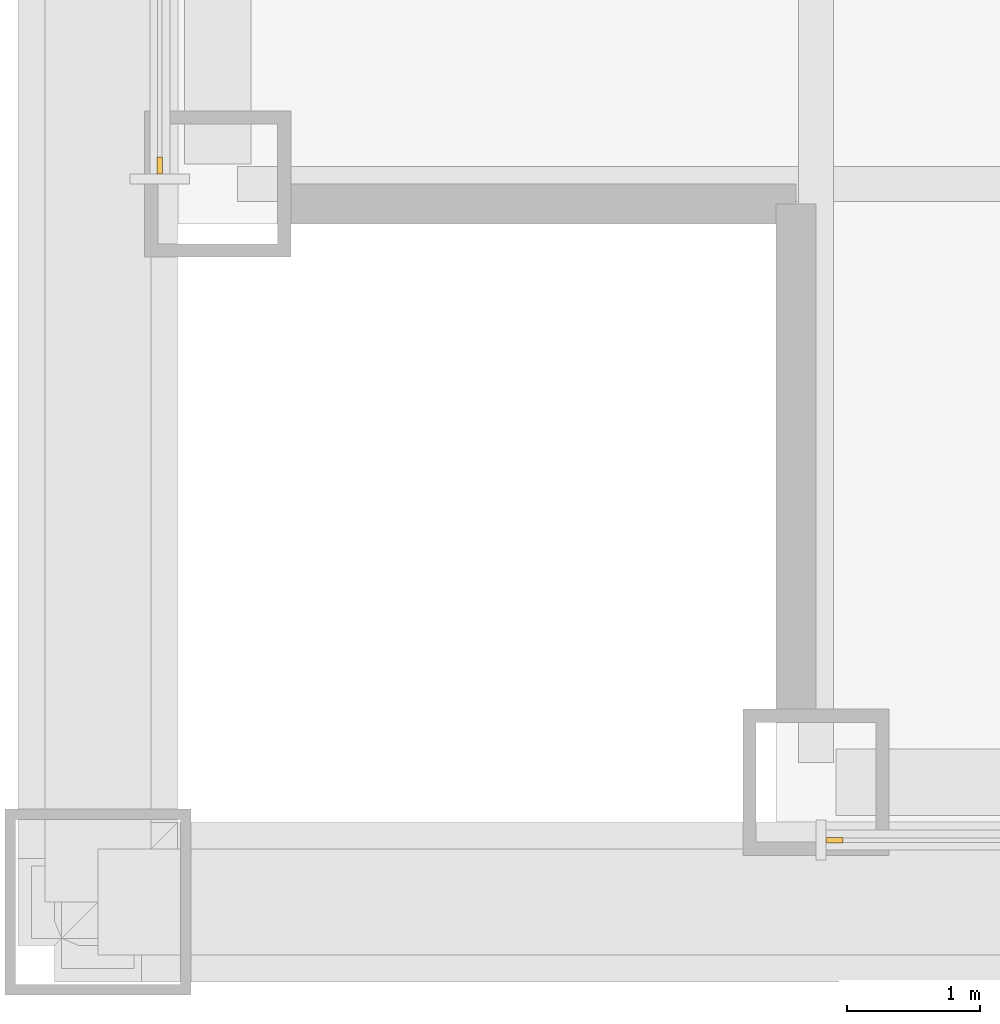
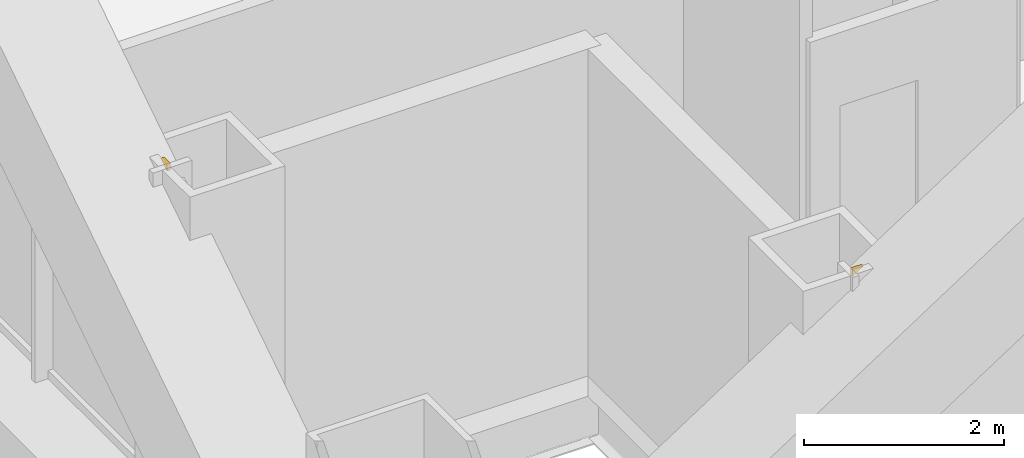
# One storey, part 18 of 21: 2 coverings.
"""IFC4 building model written with IfcOpenShell, lengths in metres."""

from ifc_helpers import new_model, si_unit, direction, frame, origin, place, context, subcontext, project, spatial, polyline, outline, extrude, material, layer, layer_set, type_object, element, save


model = new_model("IFC4")

# Units and contexts
model_context = context("Model", 3, precision=1e-05, world=origin(), true_north=direction((0.0, 1.0)))
body_context = subcontext(model_context, "Body", "Model", "MODEL_VIEW")
ifc_project = project(units=[si_unit("LENGTHUNIT", "METRE"), si_unit("AREAUNIT", "SQUARE_METRE"), si_unit("VOLUMEUNIT", "CUBIC_METRE"), si_unit("PLANEANGLEUNIT", "RADIAN"), si_unit("MASSUNIT", "GRAM", prefix="KILO")], contexts=[model_context])

# Site, building, storey
site_placement = place(None, origin())
site = spatial("IfcSite", under=ifc_project, at=site_placement, CompositionType="ELEMENT")
building_placement = place(site_placement, origin())
building = spatial("IfcBuilding", under=site, at=building_placement, Name="Malebo Sky Hospital", CompositionType="ELEMENT")
storey_placement = place(building_placement, frame((0.0, 0.0, 140.0)))
storey = spatial("IfcBuildingStorey", under=building, at=storey_placement, Name="L33", CompositionType="ELEMENT", Elevation=140.0)

# Coverings
ifc_material = material(Name="Anodised aluminium, natural silver insulated infill panel", Category="aluminium")
ifc_layer = layer(ifc_material, 0.0400390625)
ifc_layer_set = layer_set([ifc_layer], Name="BRACE INFILL PANEL 40")
covering_type = type_object("IfcCoveringType", Name="BRACE INFILL PANEL 40", PredefinedType="CLADDING", material=ifc_layer_set)
covering_1_placement = place(storey_placement, frame((35.864990234375, 42.9384765625, 3.9072265625), z_axis=(0.0, 0.0, 1.0), x_axis=(0.0, 1.0, 0.0)))
element("IfcCovering", 1, at=covering_1_placement, inside=storey, type_object=covering_type, Name="Brace infill panel 1.1", PredefinedType="CLADDING", context=body_context, shape_type="SweptSolid", body=[
    extrude(outline(polyline([(-0.063720703125, 0.0), (0.063720703125, 0.082763671875), (-0.063720703125, 0.082763671875), (-0.063720703125, 0.0)])), frame((0.0, 0.02001953125, 0.0), z_axis=(0.0, -1.0, 0.0), x_axis=(1.0, 0.0, 0.0)), (0.0, 0.0, 1.0), 0.0400390625),
])
covering_2_placement = place(storey_placement, frame((40.9384765625, 37.864990234375, 3.9072265625), z_axis=(0.0, 0.0, 1.0), x_axis=(-1.0, 0.0, 0.0)))
element("IfcCovering", 2, at=covering_2_placement, inside=storey, type_object=covering_type, Name="Brace infill panel 16.1", PredefinedType="CLADDING", context=body_context, shape_type="SweptSolid", body=[
    extrude(outline(polyline([(0.0634765625, 0.0), (0.0634765625, 0.082763671875), (-0.063720703125, 0.082763671875), (0.0634765625, 0.0)])), frame((0.0, 0.02001953125, 0.0), z_axis=(0.0, -1.0, 0.0), x_axis=(1.0, 0.0, 0.0)), (0.0, 0.0, 1.0), 0.0400390625),
])

save(model, "model.ifc")
